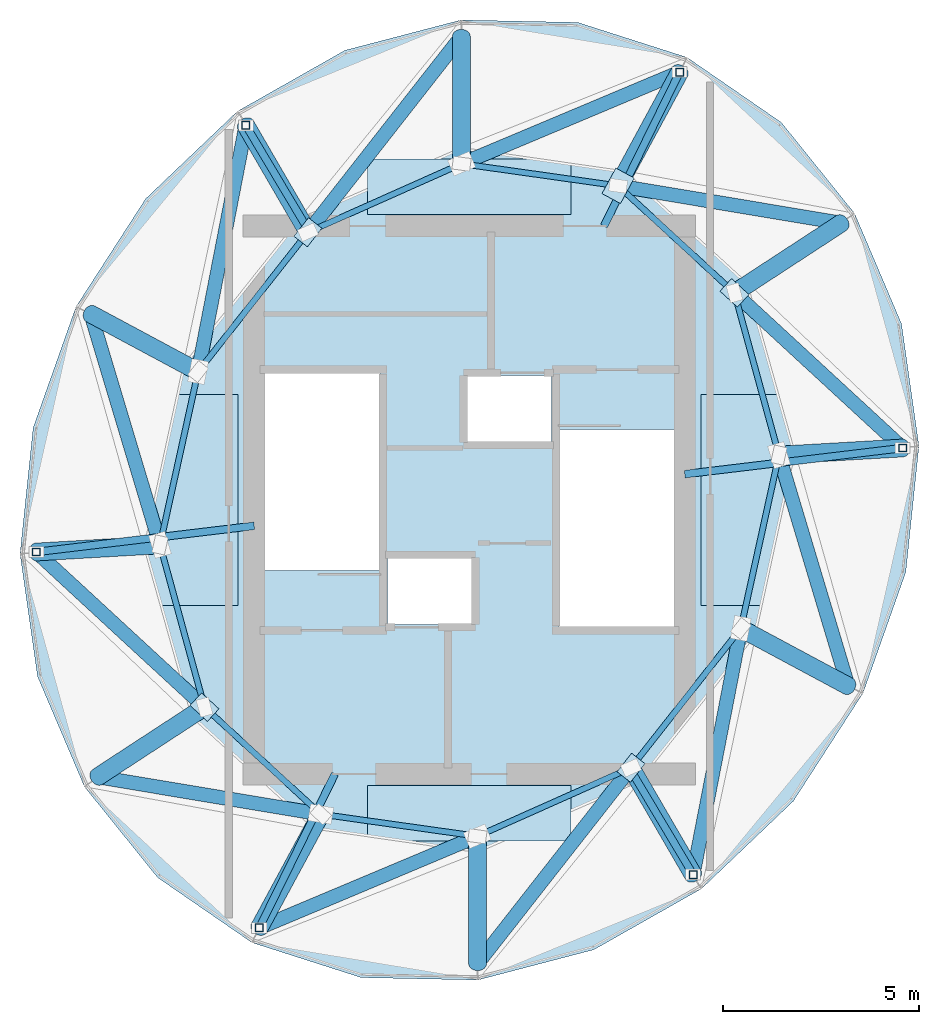
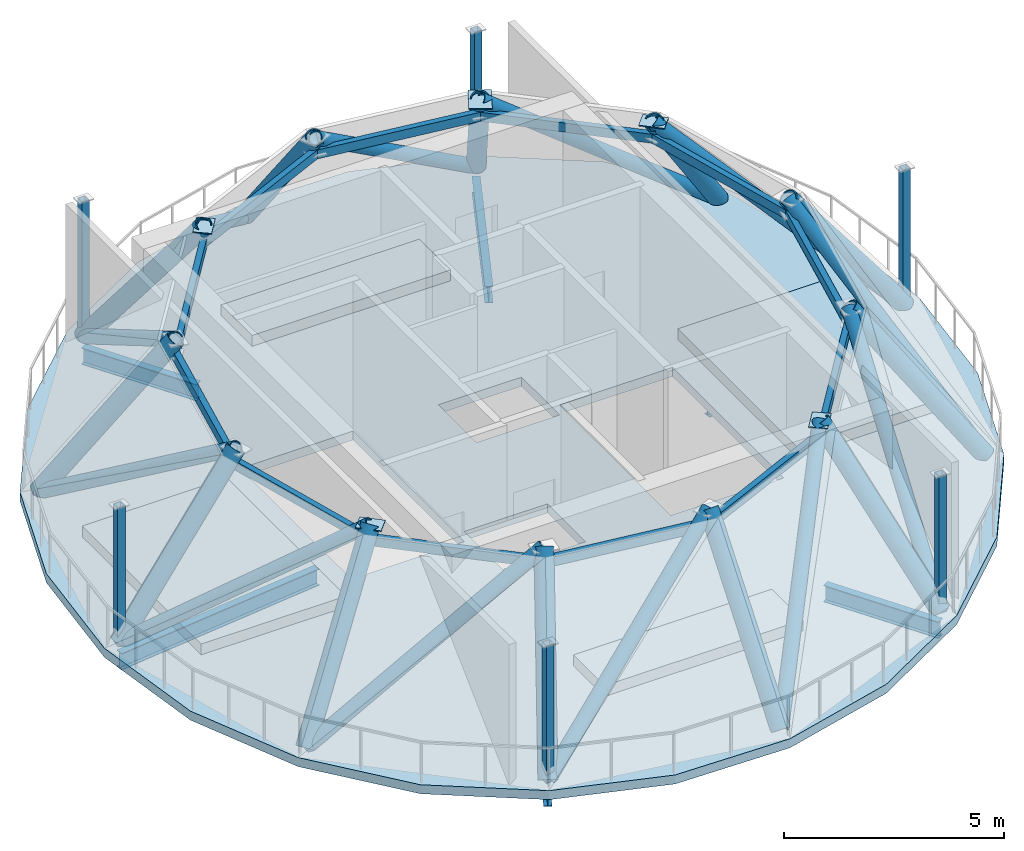
# One storey, part 1 of 4: 42 members, 6 beams, 5 plates, 5 slabs.
"""IFC4 building model written with IfcOpenShell, lengths in metres."""

import ifcopenshell
import ifcopenshell.guid

model = None  # the IFC model being written
_history = None  # IfcOwnerHistory: only IFC2X3 demands one
_inside = {}  # id of a spatial element -> (the spatial element, [elements in it])
_under = {}  # id of a project, library or spatial element -> (it, [spatial elements below it])
_declared = {}  # id of a project -> (the project, [libraries it declares])
_typed = {}  # id of a type object -> (the type object, [elements of that type])
_made_of = {}  # id of a material, layer set ... -> (it, [elements and type objects made of it])


def new_model(schema):
    """Start an empty IFC model of exactly this schema.

    Asked for "IFC4X3", IfcOpenShell would pick the latest addendum, in which some entities
    have other attributes; the version numbers below select the first issue.
    IFC2X3 requires an IfcOwnerHistory on every rooted entity: one is made here for all.
    """
    global model, _history
    if schema == "IFC4X3":
        model = ifcopenshell.file(schema_version=(4, 3, 0, 0))
    else:
        model = ifcopenshell.file(schema=schema)
    _inside.clear()
    _under.clear()
    _declared.clear()
    _typed.clear()
    _made_of.clear()
    _history = None
    if model.schema == "IFC2X3":
        org = make("IfcOrganization", Name="unknown")
        user = make(
            "IfcPersonAndOrganization",
            ThePerson=make("IfcPerson", FamilyName="unknown"),
            TheOrganization=org,
        )
        app = make(
            "IfcApplication",
            ApplicationDeveloper=org,
            Version="unknown",
            ApplicationFullName="unknown",
            ApplicationIdentifier="unknown",
        )
        _history = make(
            "IfcOwnerHistory",
            OwningUser=user,
            OwningApplication=app,
            ChangeAction="ADDED",
            CreationDate=0,
        )
    return model


def make(cls, **values):
    """One entity of the class cls with the attributes given. An attribute that is None is left unset."""
    return model.create_entity(
        cls, **{name: value for name, value in values.items() if value is not None}
    )


def rooted(cls, **values):
    """An entity with a GlobalId (a new one), such as an element, a storey or a relation."""
    return make(cls, GlobalId=ifcopenshell.guid.new(), OwnerHistory=_history, **values)


def si_unit(unit_type, name, prefix=None):
    """IfcSIUnit, for example si_unit("LENGTHUNIT", "METRE", prefix="MILLI")."""
    return make("IfcSIUnit", UnitType=unit_type, Prefix=prefix, Name=name)


def assignment(units):
    """IfcUnitAssignment: the units of a project."""
    return None if units is None else make("IfcUnitAssignment", Units=units)


def point(xyz):
    """IfcCartesianPoint."""
    return None if xyz is None else make("IfcCartesianPoint", Coordinates=xyz)


def direction(xyz):
    """IfcDirection."""
    return None if xyz is None else make("IfcDirection", DirectionRatios=xyz)


def frame(location, z_axis=None, x_axis=None):
    """IfcAxis2Placement3D, a coordinate frame: its origin and axes. An axis left out is left unset."""
    return make(
        "IfcAxis2Placement3D",
        Location=point(location),
        Axis=direction(z_axis),
        RefDirection=direction(x_axis),
    )


def frame_2d(location, x_axis=None):
    """IfcAxis2Placement2D, a coordinate frame in the plane: its origin and x axis."""
    return make(
        "IfcAxis2Placement2D", Location=point(location), RefDirection=direction(x_axis)
    )


def origin():
    """The frame at (0, 0, 0) with its axes left unset."""
    return frame((0.0, 0.0, 0.0))


def origin_2d():
    """The frame at (0, 0) in the plane with its x axis left unset."""
    return frame_2d((0.0, 0.0))


def place(relative_to, where):
    """IfcLocalPlacement: puts the frame where relative to a parent placement (None: the world)."""
    return make(
        "IfcLocalPlacement", PlacementRelTo=relative_to, RelativePlacement=where
    )


def context(
    kind, dimensions, precision=None, world=None, true_north=None, identifier=None
):
    """IfcGeometricRepresentationContext, for example the 3D "Model" context."""
    return make(
        "IfcGeometricRepresentationContext",
        ContextIdentifier=identifier,
        ContextType=kind,
        CoordinateSpaceDimension=dimensions,
        Precision=precision,
        WorldCoordinateSystem=world,
        TrueNorth=true_north,
    )


def subcontext(parent, identifier, kind, view, scale=None):
    """IfcGeometricRepresentationSubContext, for example "Body" below "Model"."""
    return make(
        "IfcGeometricRepresentationSubContext",
        ContextIdentifier=identifier,
        ContextType=kind,
        ParentContext=parent,
        TargetScale=scale,
        TargetView=view,
    )


def project(units=None, contexts=None):
    """IfcProject with its units and contexts."""
    return rooted(
        "IfcProject",
        Name="project",
        RepresentationContexts=contexts,
        UnitsInContext=assignment(units),
    )


def spatial(cls, under=None, at=None, **own):
    """A site, building, storey or space (cls), placed at a placement, below another one or the project."""
    s = rooted(cls, ObjectPlacement=at, **own)
    if under is not None:
        _under.setdefault(under.id(), (under, []))[1].append(s)
    return s


def polyline(points):
    """IfcPolyline through the points."""
    return make("IfcPolyline", Points=[point(p) for p in points])


def profile(cls, at=None, kind="AREA", **sizes):
    """A parametric profile (cls). Its sizes go by their IFC names, for example OverallWidth=200.0."""
    return make(cls, ProfileType=kind, Position=at, **sizes)


def rectangle(**sizes):
    """IfcRectangleProfileDef."""
    return profile("IfcRectangleProfileDef", **sizes)


def hollow_rectangle(**sizes):
    """IfcRectangleHollowProfileDef."""
    return profile("IfcRectangleHollowProfileDef", **sizes)


def hollow_circle(**sizes):
    """IfcCircleHollowProfileDef."""
    return profile("IfcCircleHollowProfileDef", **sizes)


def i_section(**sizes):
    """IfcIShapeProfileDef."""
    return profile("IfcIShapeProfileDef", **sizes)


def outline(outer, holes=None, kind="AREA"):
    """IfcArbitraryClosedProfileDef: a profile drawn as a closed curve; with holes, ...WithVoids."""
    if holes is None:
        return make("IfcArbitraryClosedProfileDef", ProfileType=kind, OuterCurve=outer)
    return make(
        "IfcArbitraryProfileDefWithVoids",
        ProfileType=kind,
        OuterCurve=outer,
        InnerCurves=holes,
    )


def extrude(swept, where, along, depth):
    """IfcExtrudedAreaSolid: the profile swept, set in the frame where, extruded along a direction by depth."""
    return make(
        "IfcExtrudedAreaSolid",
        SweptArea=swept,
        Position=where,
        ExtrudedDirection=direction(along),
        Depth=depth,
    )


def shape(context_of_items, identifier, shape_type, items):
    """IfcShapeRepresentation: the items that make up one representation, for example the "Body"."""
    return make(
        "IfcShapeRepresentation",
        ContextOfItems=context_of_items,
        RepresentationIdentifier=identifier,
        RepresentationType=shape_type,
        Items=items,
    )


def material(Name=None, Category=None):
    """IfcMaterial."""
    return make("IfcMaterial", Name=Name, Category=Category)


def layer(
    of_material, thickness, ventilated=None, Name=None, Category=None, Priority=None
):
    """IfcMaterialLayer: one layer of a wall or slab, of a material (None: an air gap)."""
    return make(
        "IfcMaterialLayer",
        Material=of_material,
        LayerThickness=thickness,
        IsVentilated=ventilated,
        Name=Name,
        Category=Category,
        Priority=Priority,
    )


def layer_set(layers, Name=None):
    """IfcMaterialLayerSet."""
    return make("IfcMaterialLayerSet", MaterialLayers=layers, LayerSetName=Name)


def material_profile(
    of_material, cross_section, Name=None, Category=None, Priority=None
):
    """IfcMaterialProfile: a cross section and its material."""
    return make(
        "IfcMaterialProfile",
        Name=Name,
        Material=of_material,
        Profile=cross_section,
        Priority=Priority,
        Category=Category,
    )


def profile_set(profiles, Name=None, composite=None):
    """IfcMaterialProfileSet."""
    return make(
        "IfcMaterialProfileSet",
        Name=Name,
        MaterialProfiles=profiles,
        CompositeProfile=composite,
    )


def made_of(thing, what):
    """Note that an element or type object is made of a material, layer set ...; save() writes the relation."""
    if what is not None:
        _made_of.setdefault(what.id(), (what, []))[1].append(thing)
    return thing


def type_object(cls, material=None, **own):
    """A type object (cls), such as IfcWallType, which elements share."""
    return made_of(rooted(cls, **own), material)


def element(
    cls,
    number,
    at=None,
    inside=None,
    cuts=None,
    type_object=None,
    material=None,
    context=None,
    identifier="Body",
    shape_type=None,
    held_by="IfcProductDefinitionShape",
    body=None,
    shapes=None,
    **own,
):
    """One element of the class cls, such as IfcWall. Its Tag is "e" and its number.

    at: its placement. inside: the storey or other place that contains it. cuts: it is an
    opening in that element (IfcRelVoidsElement). A single representation is given by context,
    identifier, shape_type and body (its items); several are given by shapes. held_by: the class
    of the entity that holds the representations. save() writes the other relations.
    """
    e = rooted(cls, Tag="e%d" % number, ObjectPlacement=at, **own)
    if body is not None:
        shapes = [shape(context, identifier, shape_type, body)]
    if shapes is not None:
        e.Representation = make(held_by, Representations=shapes)
    if inside is not None:
        _inside.setdefault(inside.id(), (inside, []))[1].append(e)
    if cuts is not None:
        rooted(
            "IfcRelVoidsElement", RelatingBuildingElement=cuts, RelatedOpeningElement=e
        )
    if type_object is not None:
        _typed.setdefault(type_object.id(), (type_object, []))[1].append(e)
    return made_of(e, material)


def aggregate(whole, parts):
    """IfcRelAggregates: a whole, such as a stair, and the parts it consists of."""
    return rooted("IfcRelAggregates", RelatingObject=whole, RelatedObjects=parts)


def save(model, path):
    """Write the relations noted so far, then the file.

    IfcRelAggregates (storeys below a building ...), IfcRelContainedInSpatialStructure (elements
    in a storey), IfcRelDefinesByType, IfcRelAssociatesMaterial and IfcRelDeclares: one each for
    every whole, place, type object, material and project.
    """
    for whole, parts in _under.values():
        aggregate(whole, parts)
    for where, things in _inside.values():
        rooted(
            "IfcRelContainedInSpatialStructure",
            RelatedElements=things,
            RelatingStructure=where,
        )
    for kind, things in _typed.values():
        rooted("IfcRelDefinesByType", RelatedObjects=things, RelatingType=kind)
    for what, things in _made_of.values():
        rooted("IfcRelAssociatesMaterial", RelatedObjects=things, RelatingMaterial=what)
    for by, libraries in _declared.values():
        rooted("IfcRelDeclares", RelatingContext=by, RelatedDefinitions=libraries)
    model.write(path)


model = new_model("IFC4")

# Units and contexts
model_context = context("Model", 3, precision=1e-05, world=origin(), true_north=direction((0.0, 1.0)))
body_context = subcontext(model_context, "Body", "Model", "MODEL_VIEW")
ifc_project = project(units=[si_unit("LENGTHUNIT", "METRE"), si_unit("AREAUNIT", "SQUARE_METRE"), si_unit("VOLUMEUNIT", "CUBIC_METRE"), si_unit("PLANEANGLEUNIT", "RADIAN"), si_unit("MASSUNIT", "GRAM", prefix="KILO")], contexts=[model_context])

# Site, building, storey
site_placement = place(None, origin())
site = spatial("IfcSite", under=ifc_project, at=site_placement, CompositionType="ELEMENT")
building_placement = place(site_placement, origin())
building = spatial("IfcBuilding", under=site, at=building_placement, Name="Veldorim Arch Residences", CompositionType="ELEMENT")
storey_placement = place(building_placement, frame((0.0, 0.0, 255.199951171875)))
storey = spatial("IfcBuildingStorey", under=building, at=storey_placement, Name="L76", CompositionType="ELEMENT", Elevation=255.199951171875)

# Members
ifc_material_1 = material(Name="Steel S460", Category="steel")
ifc_material_profile_1 = material_profile(ifc_material_1, hollow_circle(Radius=0.177734375, WallThickness=0.02490234375, at=origin_2d()), Name="CHS355.6x25")
ifc_profile_set_1 = profile_set([ifc_material_profile_1], Name="Steel S460")
member_type_1 = type_object("IfcMemberType", Name="Crown Diagrid CHS355.6x25", PredefinedType="STRUT", material=ifc_profile_set_1)
member_1_placement = place(storey_placement, frame((37.369873046875, 34.932373046875, 0.0), z_axis=(-0.759371510852, -0.319194238174, 0.566983198007), x_axis=(0.3874989225, -0.921870156292, 0.0)))
element("IfcMember", 1, at=member_1_placement, inside=storey, type_object=member_type_1, Name="L76 Crown Diagrid diagrid brace 01", PredefinedType="STRUT", context=body_context, shape_type="SweptSolid", body=[
    extrude(hollow_circle(Radius=0.177734375, WallThickness=0.02490234375, at=origin_2d()), origin(), (0.0, 0.0, 1.0), 7.33740234375),
])
member_2_placement = place(storey_placement, frame((31.7919921875, 35.84326171875, 0.0), z_axis=(-0.515980294061, -0.658651063049, 0.547670624816), x_axis=(0.787206607919, -0.616689351658, 0.0)))
element("IfcMember", 2, at=member_2_placement, inside=storey, type_object=member_type_1, Name="L76 Crown Diagrid diagrid brace 02", PredefinedType="STRUT", context=body_context, shape_type="SweptSolid", body=[
    extrude(hollow_circle(Radius=0.177734375, WallThickness=0.02490234375, at=origin_2d()), origin(), (0.0, 0.0, 1.0), 7.59619140625),
])
member_3_placement = place(storey_placement, frame((26.286865234375, 33.5703125, 0.0), z_axis=(-0.159695408556, -0.823372524721, 0.544568693574), x_axis=(0.981705708687, -0.190404573293, 0.0)))
element("IfcMember", 3, at=member_3_placement, inside=storey, type_object=member_type_1, Name="L76 Crown Diagrid diagrid brace 03", PredefinedType="STRUT", context=body_context, shape_type="SweptSolid", body=[
    extrude(hollow_circle(Radius=0.177734375, WallThickness=0.02490234375, at=origin_2d()), origin(), (0.0, 0.0, 1.0), 7.639404296875),
])
member_4_placement = place(storey_placement, frame((22.32421875, 28.752685546875, 0.0), z_axis=(0.238119202565, -0.793719725696, 0.559739441537), x_axis=(0.957825194201, 0.287351522276, 0.0)))
element("IfcMember", 4, at=member_4_placement, inside=storey, type_object=member_type_1, Name="L76 Crown Diagrid diagrid brace 04", PredefinedType="STRUT", context=body_context, shape_type="SweptSolid", body=[
    extrude(hollow_circle(Radius=0.177734375, WallThickness=0.02490234375, at=origin_2d()), origin(), (0.0, 0.0, 1.0), 7.432373046875),
])
member_5_placement = place(storey_placement, frame((20.93359375, 22.671630859375, 0.0), z_axis=(0.598836847298, -0.552421717186, 0.579848839525), x_axis=(0.678047614022, 0.735017981493, 0.0)))
element("IfcMember", 5, at=member_5_placement, inside=storey, type_object=member_type_1, Name="L76 Crown Diagrid diagrid brace 05", PredefinedType="STRUT", context=body_context, shape_type="SweptSolid", body=[
    extrude(hollow_circle(Radius=0.177734375, WallThickness=0.02490234375, at=origin_2d()), origin(), (0.0, 0.0, 1.0), 7.174560546875),
])
member_6_placement = place(storey_placement, frame((22.499755859375, 16.925537109375, 0.0), z_axis=(0.800607040403, -0.133714435271, 0.58407946091), x_axis=(0.164734525508, 0.98633794214, 0.0)))
element("IfcMember", 6, at=member_6_placement, inside=storey, type_object=member_type_1, Name="L76 Crown Diagrid diagrid brace 06", PredefinedType="STRUT", context=body_context, shape_type="SweptSolid", body=[
    extrude(hollow_circle(Radius=0.177734375, WallThickness=0.02490234375, at=origin_2d()), origin(), (0.0, 0.0, 1.0), 7.12255859375),
])
member_7_placement = place(storey_placement, frame((26.630126953125, 13.067626953125, 0.0), z_axis=(0.759371510852, 0.319194238174, 0.566983198007), x_axis=(-0.3874989225, 0.921870156292, 0.0)))
element("IfcMember", 7, at=member_7_placement, inside=storey, type_object=member_type_1, Name="L76 Crown Diagrid diagrid brace 07", PredefinedType="STRUT", context=body_context, shape_type="SweptSolid", body=[
    extrude(hollow_circle(Radius=0.177734375, WallThickness=0.02490234375, at=origin_2d()), origin(), (0.0, 0.0, 1.0), 7.33740234375),
])
member_8_placement = place(storey_placement, frame((32.2080078125, 12.15673828125, 0.0), z_axis=(0.515980294061, 0.658651063049, 0.547670624816), x_axis=(-0.787206607919, 0.616689351658, 0.0)))
element("IfcMember", 8, at=member_8_placement, inside=storey, type_object=member_type_1, Name="L76 Crown Diagrid diagrid brace 08", PredefinedType="STRUT", context=body_context, shape_type="SweptSolid", body=[
    extrude(hollow_circle(Radius=0.177734375, WallThickness=0.02490234375, at=origin_2d()), origin(), (0.0, 0.0, 1.0), 7.59619140625),
])
member_9_placement = place(storey_placement, frame((37.713134765625, 14.4296875, 0.0), z_axis=(0.159695408556, 0.823372524721, 0.544568693574), x_axis=(-0.981705708687, 0.190404573293, 0.0)))
element("IfcMember", 9, at=member_9_placement, inside=storey, type_object=member_type_1, Name="L76 Crown Diagrid diagrid brace 09", PredefinedType="STRUT", context=body_context, shape_type="SweptSolid", body=[
    extrude(hollow_circle(Radius=0.177734375, WallThickness=0.02490234375, at=origin_2d()), origin(), (0.0, 0.0, 1.0), 7.639404296875),
])
member_10_placement = place(storey_placement, frame((41.67578125, 19.247314453125, 0.0), z_axis=(-0.238119202565, 0.793719725696, 0.559739441537), x_axis=(-0.957825194201, -0.287351522276, 0.0)))
element("IfcMember", 10, at=member_10_placement, inside=storey, type_object=member_type_1, Name="L76 Crown Diagrid diagrid brace 10", PredefinedType="STRUT", context=body_context, shape_type="SweptSolid", body=[
    extrude(hollow_circle(Radius=0.177734375, WallThickness=0.02490234375, at=origin_2d()), origin(), (0.0, 0.0, 1.0), 7.432373046875),
])
member_11_placement = place(storey_placement, frame((43.06640625, 25.328369140625, 0.0), z_axis=(-0.598836847298, 0.552421717186, 0.579848839525), x_axis=(-0.678047614022, -0.735017981493, 0.0)))
element("IfcMember", 11, at=member_11_placement, inside=storey, type_object=member_type_1, Name="L76 Crown Diagrid diagrid brace 11", PredefinedType="STRUT", context=body_context, shape_type="SweptSolid", body=[
    extrude(hollow_circle(Radius=0.177734375, WallThickness=0.02490234375, at=origin_2d()), origin(), (0.0, 0.0, 1.0), 7.174560546875),
])
member_12_placement = place(storey_placement, frame((41.500244140625, 31.074462890625, 0.0), z_axis=(-0.800607040403, 0.133714435271, 0.58407946091), x_axis=(-0.164734525508, -0.98633794214, 0.0)))
element("IfcMember", 12, at=member_12_placement, inside=storey, type_object=member_type_1, Name="L76 Crown Diagrid diagrid brace 12", PredefinedType="STRUT", context=body_context, shape_type="SweptSolid", body=[
    extrude(hollow_circle(Radius=0.177734375, WallThickness=0.02490234375, at=origin_2d()), origin(), (0.0, 0.0, 1.0), 7.12255859375),
])
ifc_material_2 = material(Name="Steel S460", Category="steel")
ifc_material_profile_2 = material_profile(ifc_material_2, hollow_circle(Radius=0.228515625, WallThickness=0.030029296875, at=origin_2d()), Name="CHS457x30")
ifc_profile_set_2 = profile_set([ifc_material_profile_2], Name="Steel S460")
member_type_2 = type_object("IfcMemberType", Name="Crown Diagrid CHS457x30", PredefinedType="BRACE", material=ifc_profile_set_2)
member_13_placement = place(storey_placement, frame((37.369873046875, 34.932373046875, 0.0), z_axis=(-0.295922888055, -0.546944912369, 0.78312253649), x_axis=(0.879520121807, -0.475861697699, 0.0)))
element("IfcMember", 13, at=member_13_placement, inside=storey, type_object=member_type_2, Name="L76 Crown Diagrid tapering rib 01", PredefinedType="BRACE", context=body_context, shape_type="SweptSolid", body=[
    extrude(hollow_circle(Radius=0.228515625, WallThickness=0.030029296875, at=origin_2d()), origin(), (0.0, 0.0, 1.0), 5.312255859375),
])
member_14_placement = place(storey_placement, frame((31.7919921875, 35.84326171875, 0.0), z_axis=(0.00115575976, -0.615973721743, 0.787765852485), x_axis=(0.999998239729, 0.001876310117, 0.0)))
element("IfcMember", 14, at=member_14_placement, inside=storey, type_object=member_type_2, Name="L76 Crown Diagrid tapering rib 02", PredefinedType="BRACE", context=body_context, shape_type="SweptSolid", body=[
    extrude(hollow_circle(Radius=0.228515625, WallThickness=0.030029296875, at=origin_2d()), origin(), (0.0, 0.0, 1.0), 5.281005859375),
])
member_15_placement = place(storey_placement, frame((26.286865234375, 33.5703125, 0.0), z_axis=(0.303622006663, -0.522772117092, 0.796569514017), x_axis=(0.864733700112, 0.502230652082, 0.0)))
element("IfcMember", 15, at=member_15_placement, inside=storey, type_object=member_type_2, Name="L76 Crown Diagrid tapering rib 03", PredefinedType="BRACE", context=body_context, shape_type="SweptSolid", body=[
    extrude(hollow_circle(Radius=0.228515625, WallThickness=0.030029296875, at=origin_2d()), origin(), (0.0, 0.0, 1.0), 5.22265625),
])
member_16_placement = place(storey_placement, frame((22.32421875, 28.752685546875, 0.0), z_axis=(0.527855885157, -0.283380705304, 0.800664436806), x_axis=(0.473000379796, 0.881062222952, 0.0)))
element("IfcMember", 16, at=member_16_placement, inside=storey, type_object=member_type_2, Name="L76 Crown Diagrid tapering rib 04", PredefinedType="BRACE", context=body_context, shape_type="SweptSolid", body=[
    extrude(hollow_circle(Radius=0.228515625, WallThickness=0.030029296875, at=origin_2d()), origin(), (0.0, 0.0, 1.0), 5.19580078125),
])
member_17_placement = place(storey_placement, frame((20.93359375, 22.671630859375, 0.0), z_axis=(0.604557045255, 0.03479297016, 0.795801626199), x_axis=(-0.057456105442, 0.998348033477, 0.0)))
element("IfcMember", 17, at=member_17_placement, inside=storey, type_object=member_type_2, Name="L76 Crown Diagrid tapering rib 05", PredefinedType="BRACE", context=body_context, shape_type="SweptSolid", body=[
    extrude(hollow_circle(Radius=0.228515625, WallThickness=0.030029296875, at=origin_2d()), origin(), (0.0, 0.0, 1.0), 5.2275390625),
])
member_18_placement = place(storey_placement, frame((22.499755859375, 16.925537109375, 0.0), z_axis=(0.516525993034, 0.33726842539, 0.787052036243), x_axis=(-0.54672677077, 0.837311076078, 0.0)))
element("IfcMember", 18, at=member_18_placement, inside=storey, type_object=member_type_2, Name="L76 Crown Diagrid tapering rib 06", PredefinedType="BRACE", context=body_context, shape_type="SweptSolid", body=[
    extrude(hollow_circle(Radius=0.228515625, WallThickness=0.030029296875, at=origin_2d()), origin(), (0.0, 0.0, 1.0), 5.28564453125),
])
member_19_placement = place(storey_placement, frame((26.630126953125, 13.067626953125, 0.0), z_axis=(0.295922888055, 0.546944912369, 0.78312253649), x_axis=(-0.879520121807, 0.475861697699, 0.0)))
element("IfcMember", 19, at=member_19_placement, inside=storey, type_object=member_type_2, Name="L76 Crown Diagrid tapering rib 07", PredefinedType="BRACE", context=body_context, shape_type="SweptSolid", body=[
    extrude(hollow_circle(Radius=0.228515625, WallThickness=0.030029296875, at=origin_2d()), origin(), (0.0, 0.0, 1.0), 5.312255859375),
])
member_20_placement = place(storey_placement, frame((32.2080078125, 12.15673828125, 0.0), z_axis=(-0.00115575976, 0.615973721743, 0.787765852485), x_axis=(-0.999998239729, -0.001876310117, 0.0)))
element("IfcMember", 20, at=member_20_placement, inside=storey, type_object=member_type_2, Name="L76 Crown Diagrid tapering rib 08", PredefinedType="BRACE", context=body_context, shape_type="SweptSolid", body=[
    extrude(hollow_circle(Radius=0.228515625, WallThickness=0.030029296875, at=origin_2d()), origin(), (0.0, 0.0, 1.0), 5.281005859375),
])
member_21_placement = place(storey_placement, frame((37.713134765625, 14.4296875, 0.0), z_axis=(-0.303622006663, 0.522772117092, 0.796569514017), x_axis=(-0.864733700112, -0.502230652082, 0.0)))
element("IfcMember", 21, at=member_21_placement, inside=storey, type_object=member_type_2, Name="L76 Crown Diagrid tapering rib 09", PredefinedType="BRACE", context=body_context, shape_type="SweptSolid", body=[
    extrude(hollow_circle(Radius=0.228515625, WallThickness=0.030029296875, at=origin_2d()), origin(), (0.0, 0.0, 1.0), 5.22265625),
])
member_22_placement = place(storey_placement, frame((41.67578125, 19.247314453125, 0.0), z_axis=(-0.527855885157, 0.283380705304, 0.800664436806), x_axis=(-0.473000379796, -0.881062222952, 0.0)))
element("IfcMember", 22, at=member_22_placement, inside=storey, type_object=member_type_2, Name="L76 Crown Diagrid tapering rib 10", PredefinedType="BRACE", context=body_context, shape_type="SweptSolid", body=[
    extrude(hollow_circle(Radius=0.228515625, WallThickness=0.030029296875, at=origin_2d()), origin(), (0.0, 0.0, 1.0), 5.19580078125),
])
member_23_placement = place(storey_placement, frame((43.06640625, 25.328369140625, 0.0), z_axis=(-0.604557045255, -0.03479297016, 0.795801626199), x_axis=(0.057456105442, -0.998348033477, 0.0)))
element("IfcMember", 23, at=member_23_placement, inside=storey, type_object=member_type_2, Name="L76 Crown Diagrid tapering rib 11", PredefinedType="BRACE", context=body_context, shape_type="SweptSolid", body=[
    extrude(hollow_circle(Radius=0.228515625, WallThickness=0.030029296875, at=origin_2d()), origin(), (0.0, 0.0, 1.0), 5.2275390625),
])
member_24_placement = place(storey_placement, frame((41.500244140625, 31.074462890625, 0.0), z_axis=(-0.516525993034, -0.33726842539, 0.787052036243), x_axis=(0.54672677077, -0.837311076078, 0.0)))
element("IfcMember", 24, at=member_24_placement, inside=storey, type_object=member_type_2, Name="L76 Crown Diagrid tapering rib 12", PredefinedType="BRACE", context=body_context, shape_type="SweptSolid", body=[
    extrude(hollow_circle(Radius=0.228515625, WallThickness=0.030029296875, at=origin_2d()), origin(), (0.0, 0.0, 1.0), 5.28564453125),
])

# Beams
ifc_material_3 = material(Name="Steel S355", Category="steel")
ifc_material_profile_3 = material_profile(ifc_material_3, i_section(OverallWidth=0.19140625, OverallDepth=0.4599609375, WebThickness=0.010009765625, FlangeThickness=0.01611328125, at=origin_2d()), Name="UB457x191x82")
ifc_profile_set_3 = profile_set([ifc_material_profile_3], Name="Steel S355")
beam_type = type_object("IfcBeamType", Name="Structural Steel Spandrel UB457x191x82", PredefinedType="SPANDREL", material=ifc_profile_set_3)
beam_1_placement = place(storey_placement, frame((35.4384765625, 31.0, -0.5), z_axis=(0.440849534454, 0.897581020283, 0.0), x_axis=(-0.897581020283, 0.440849534454, 0.0)))
element("IfcBeam", 25, at=beam_1_placement, inside=storey, type_object=beam_type, Name="L76 crown radial floor beam 01", PredefinedType="SPANDREL", context=body_context, shape_type="SweptSolid", body=[
    extrude(i_section(OverallWidth=0.19140625, OverallDepth=0.4599609375, WebThickness=0.010009765625, FlangeThickness=0.01611328125, at=origin_2d()), origin(), (0.0, 0.0, 1.0), 4.381103515625),
])
beam_2_placement = place(storey_placement, frame((27.8212890625, 31.0, -0.5), z_axis=(-0.512587482096, 0.858635005808, 0.0), x_axis=(-0.858635005808, -0.512587482096, 0.0)))
element("IfcBeam", 26, at=beam_2_placement, inside=storey, type_object=beam_type, Name="L76 crown radial floor beam 05", PredefinedType="SPANDREL", context=body_context, shape_type="SweptSolid", body=[
    extrude(i_section(OverallWidth=0.19140625, OverallDepth=0.4599609375, WebThickness=0.010009765625, FlangeThickness=0.01611328125, at=origin_2d()), origin(), (0.0, 0.0, 1.0), 2.993408203125),
])
beam_3_placement = place(storey_placement, frame((26.5, 23.33984375, -0.5), z_axis=(-0.992871686099, -0.119188149336, 0.0), x_axis=(0.119188149336, -0.992871686099, 0.0)))
element("IfcBeam", 27, at=beam_3_placement, inside=storey, type_object=beam_type, Name="L76 crown radial floor beam 09", PredefinedType="SPANDREL", context=body_context, shape_type="SweptSolid", body=[
    extrude(i_section(OverallWidth=0.19140625, OverallDepth=0.4599609375, WebThickness=0.010009765625, FlangeThickness=0.01611328125, at=origin_2d()), origin(), (0.0, 0.0, 1.0), 5.6064453125),
])
beam_4_placement = place(storey_placement, frame((28.5615234375, 17.0, -0.5), z_axis=(-0.440849534454, -0.897581020283, 0.0), x_axis=(0.897581020283, -0.440849534454, 0.0)))
element("IfcBeam", 28, at=beam_4_placement, inside=storey, type_object=beam_type, Name="L76 crown radial floor beam 13", PredefinedType="SPANDREL", context=body_context, shape_type="SweptSolid", body=[
    extrude(i_section(OverallWidth=0.19140625, OverallDepth=0.4599609375, WebThickness=0.010009765625, FlangeThickness=0.01611328125, at=origin_2d()), origin(), (0.0, 0.0, 1.0), 4.381103515625),
])
beam_5_placement = place(storey_placement, frame((36.1787109375, 17.0, -0.5), z_axis=(0.512587482096, -0.858635005808, 0.0), x_axis=(0.858635005808, 0.512587482096, 0.0)))
element("IfcBeam", 29, at=beam_5_placement, inside=storey, type_object=beam_type, Name="L76 crown radial floor beam 17", PredefinedType="SPANDREL", context=body_context, shape_type="SweptSolid", body=[
    extrude(i_section(OverallWidth=0.19140625, OverallDepth=0.4599609375, WebThickness=0.010009765625, FlangeThickness=0.01611328125, at=origin_2d()), origin(), (0.0, 0.0, 1.0), 2.993408203125),
])
beam_6_placement = place(storey_placement, frame((37.5, 24.66015625, -0.5), z_axis=(0.992871686099, 0.119188149336, 0.0), x_axis=(-0.119188149336, 0.992871686099, 0.0)))
element("IfcBeam", 30, at=beam_6_placement, inside=storey, type_object=beam_type, Name="L76 crown radial floor beam 21", PredefinedType="SPANDREL", context=body_context, shape_type="SweptSolid", body=[
    extrude(i_section(OverallWidth=0.19140625, OverallDepth=0.4599609375, WebThickness=0.010009765625, FlangeThickness=0.01611328125, at=origin_2d()), origin(), (0.0, 0.0, 1.0), 5.6064453125),
])

# Members
ifc_material_4 = material(Name="Steel S460", Category="steel")
ifc_material_profile_4 = material_profile(ifc_material_4, hollow_rectangle(XDim=0.199951171875, YDim=0.199951171875, WallThickness=0.012451171875, at=origin_2d()), Name="SHS200x200x12.5")
ifc_profile_set_4 = profile_set([ifc_material_profile_4], Name="Steel S460")
member_type_3 = type_object("IfcMemberType", Name="Truss Post SHS200x200x12.5", PredefinedType="POST", material=ifc_profile_set_4)
for number, where, z_axis, x_axis, name in (
    (31, (37.369873046875, 34.932373046875, 0.0), (0.0, 0.0, 1.0), (1.0, 0.0, 0.0), "L76 crown interior support post 01"),
    (32, (26.286865234375, 33.5703125, 0.0), (0.0, 0.0, 1.0), (1.0, 0.0, 0.0), "L76 crown interior support post 02"),
    (33, (20.93359375, 22.671630859375, 0.0), (0.0, 0.0, 1.0), (1.0, 0.0, 0.0), "L76 crown interior support post 03"),
    (34, (26.630126953125, 13.067626953125, 0.0), (0.0, 0.0, 1.0), (1.0, 0.0, 0.0), "L76 crown interior support post 04"),
    (35, (37.713134765625, 14.4296875, 0.0), (0.0, 0.0, 1.0), (1.0, 0.0, 0.0), "L76 crown interior support post 05"),
    (36, (43.06640625, 25.328369140625, 0.0), (0.0, 0.0, 1.0), (1.0, 0.0, 0.0), "L76 crown interior support post 06"),
):
    element("IfcMember", number, at=place(storey_placement, frame(where, z_axis=z_axis, x_axis=x_axis)), inside=storey, type_object=member_type_3, Name=name, PredefinedType="POST", context=body_context, shape_type="SweptSolid", body=[
        extrude(hollow_rectangle(XDim=0.199951171875, YDim=0.199951171875, WallThickness=0.012451171875, at=origin_2d()), origin(), (0.0, 0.0, 1.0), 3.81005859375),
    ])
ifc_material_5 = material(Name="Steel S355", Category="steel")
ifc_material_profile_5 = material_profile(ifc_material_5, hollow_rectangle(XDim=0.14990234375, YDim=0.25, WallThickness=0.012451171875, at=origin_2d()), Name="RHS250x150x12.5")
ifc_profile_set_5 = profile_set([ifc_material_profile_5], Name="Steel S355")
member_type_4 = type_object("IfcMemberType", Name="Truss Purlin RHS250x150x12.5", PredefinedType="PURLIN", material=ifc_profile_set_5)
member_25_placement = place(storey_placement, frame((35.7978515625, 32.02685546875, 3.739990234375), z_axis=(-0.990222036989, 0.139500241798, 0.0), x_axis=(-0.139500241798, -0.990222036989, 0.0)))
element("IfcMember", 37, at=member_25_placement, inside=storey, type_object=member_type_4, Name="L76 crown ring purlin 01", PredefinedType="PURLIN", context=body_context, shape_type="SweptSolid", body=[
    extrude(hollow_rectangle(XDim=0.14990234375, YDim=0.25, WallThickness=0.012451171875, at=origin_2d()), origin(), (0.0, 0.0, 1.0), 4.039306640625),
])
member_26_placement = place(storey_placement, frame((31.798095703125, 32.59033203125, 3.739990234375), z_axis=(-0.913330722084, -0.407218604803, 0.0), x_axis=(0.407218604803, -0.913330722084, 0.0)))
element("IfcMember", 38, at=member_26_placement, inside=storey, type_object=member_type_4, Name="L76 crown ring purlin 02", PredefinedType="PURLIN", context=body_context, shape_type="SweptSolid", body=[
    extrude(hollow_rectangle(XDim=0.14990234375, YDim=0.25, WallThickness=0.012451171875, at=origin_2d()), origin(), (0.0, 0.0, 1.0), 4.298095703125),
])
for number, where, z_axis, x_axis, name in (
    (39, (27.87255859375, 30.840087890625, 3.739990234375), (-0.619003139159, -0.785388511319, 0.0), (0.785388511319, -0.619003139159, 0.0), "L76 crown ring purlin 03"),
    (40, (25.06689453125, 27.2802734375, 3.739990234375), (-0.214654207417, -0.976690110136, 0.0), (0.976690110136, -0.214654207417, 0.0), "L76 crown ring purlin 04"),
):
    element("IfcMember", number, at=place(storey_placement, frame(where, z_axis=z_axis, x_axis=x_axis)), inside=storey, type_object=member_type_4, Name=name, PredefinedType="PURLIN", context=body_context, shape_type="SweptSolid", body=[
        extrude(hollow_rectangle(XDim=0.14990234375, YDim=0.25, WallThickness=0.012451171875, at=origin_2d()), origin(), (0.0, 0.0, 1.0), 4.532470703125),
    ])
member_27_placement = place(storey_placement, frame((24.093994140625, 22.853515625, 3.739990234375), z_axis=(0.264299563036, -0.964440636317, 0.0), x_axis=(0.964440636317, 0.264299563036, 0.0)))
element("IfcMember", 41, at=member_27_placement, inside=storey, type_object=member_type_4, Name="L76 crown ring purlin 05", PredefinedType="PURLIN", context=body_context, shape_type="SweptSolid", body=[
    extrude(hollow_rectangle(XDim=0.14990234375, YDim=0.25, WallThickness=0.012451171875, at=origin_2d()), origin(), (0.0, 0.0, 1.0), 4.298095703125),
])
member_28_placement = place(storey_placement, frame((25.22998046875, 18.708251953125, 3.739990234375), z_axis=(0.735843063462, -0.677152114339, 0.0), x_axis=(0.677152114339, 0.735843063462, 0.0)))
element("IfcMember", 42, at=member_28_placement, inside=storey, type_object=member_type_4, Name="L76 crown ring purlin 06", PredefinedType="PURLIN", context=body_context, shape_type="SweptSolid", body=[
    extrude(hollow_rectangle(XDim=0.14990234375, YDim=0.25, WallThickness=0.012451171875, at=origin_2d()), origin(), (0.0, 0.0, 1.0), 4.0390625),
])
member_29_placement = place(storey_placement, frame((28.2021484375, 15.97314453125, 3.739990234375), z_axis=(0.990222036989, -0.139500241798, 0.0), x_axis=(0.139500241798, 0.990222036989, 0.0)))
element("IfcMember", 43, at=member_29_placement, inside=storey, type_object=member_type_4, Name="L76 crown ring purlin 07", PredefinedType="PURLIN", context=body_context, shape_type="SweptSolid", body=[
    extrude(hollow_rectangle(XDim=0.14990234375, YDim=0.25, WallThickness=0.012451171875, at=origin_2d()), origin(), (0.0, 0.0, 1.0), 4.039306640625),
])
member_30_placement = place(storey_placement, frame((32.201904296875, 15.40966796875, 3.739990234375), z_axis=(0.913330722084, 0.407218604803, 0.0), x_axis=(-0.407218604803, 0.913330722084, 0.0)))
element("IfcMember", 44, at=member_30_placement, inside=storey, type_object=member_type_4, Name="L76 crown ring purlin 08", PredefinedType="PURLIN", context=body_context, shape_type="SweptSolid", body=[
    extrude(hollow_rectangle(XDim=0.14990234375, YDim=0.25, WallThickness=0.012451171875, at=origin_2d()), origin(), (0.0, 0.0, 1.0), 4.298095703125),
])
for number, where, z_axis, x_axis, name in (
    (45, (36.12744140625, 17.159912109375, 3.739990234375), (0.619003139159, 0.785388511319, 0.0), (-0.785388511319, 0.619003139159, 0.0), "L76 crown ring purlin 09"),
    (46, (38.93310546875, 20.7197265625, 3.739990234375), (0.214654207417, 0.976690110136, 0.0), (-0.976690110136, 0.214654207417, 0.0), "L76 crown ring purlin 10"),
):
    element("IfcMember", number, at=place(storey_placement, frame(where, z_axis=z_axis, x_axis=x_axis)), inside=storey, type_object=member_type_4, Name=name, PredefinedType="PURLIN", context=body_context, shape_type="SweptSolid", body=[
        extrude(hollow_rectangle(XDim=0.14990234375, YDim=0.25, WallThickness=0.012451171875, at=origin_2d()), origin(), (0.0, 0.0, 1.0), 4.532470703125),
    ])
member_31_placement = place(storey_placement, frame((39.906005859375, 25.146484375, 3.739990234375), z_axis=(-0.264299563036, 0.964440636317, 0.0), x_axis=(-0.964440636317, -0.264299563036, 0.0)))
element("IfcMember", 47, at=member_31_placement, inside=storey, type_object=member_type_4, Name="L76 crown ring purlin 11", PredefinedType="PURLIN", context=body_context, shape_type="SweptSolid", body=[
    extrude(hollow_rectangle(XDim=0.14990234375, YDim=0.25, WallThickness=0.012451171875, at=origin_2d()), origin(), (0.0, 0.0, 1.0), 4.298095703125),
])
member_32_placement = place(storey_placement, frame((38.77001953125, 29.291748046875, 3.739990234375), z_axis=(-0.735843063462, 0.677152114339, 0.0), x_axis=(-0.677152114339, -0.735843063462, 0.0)))
element("IfcMember", 48, at=member_32_placement, inside=storey, type_object=member_type_4, Name="L76 crown ring purlin 12", PredefinedType="PURLIN", context=body_context, shape_type="SweptSolid", body=[
    extrude(hollow_rectangle(XDim=0.14990234375, YDim=0.25, WallThickness=0.012451171875, at=origin_2d()), origin(), (0.0, 0.0, 1.0), 4.0390625),
])

# Slabs
ifc_material_6 = material(Name="Precast concrete C40/50", Category="concrete")
ifc_layer_1 = layer(ifc_material_6, 0.300048828125, Name="Crown Mechanical Equipment Plinth 300")
ifc_layer_set_1 = layer_set([ifc_layer_1], Name="Precast concrete C40/50")
slab_type_1 = type_object("IfcSlabType", Name="Crown Mechanical Equipment Plinth 300", PredefinedType="USERDEFINED", material=ifc_layer_set_1)
slab_1_placement = place(storey_placement, origin())
element("IfcSlab", 49, at=slab_1_placement, inside=storey, type_object=slab_type_1, Name="L76 Chiller plinth", ObjectType="PLINTH", PredefinedType="USERDEFINED", context=body_context, shape_type="SweptSolid", body=[
    extrude(outline(polyline([(22.2880859375, 26.699951171875), (26.087890625, 26.699951171875), (26.087890625, 21.300048828125), (22.2880859375, 21.300048828125), (22.2880859375, 26.699951171875)])), origin(), (0.0, 0.0, 1.0), 0.300048828125),
])
slab_2_placement = place(storey_placement, origin())
element("IfcSlab", 50, at=slab_2_placement, inside=storey, type_object=slab_type_1, Name="L76 Cooling tower plinth", ObjectType="PLINTH", PredefinedType="USERDEFINED", context=body_context, shape_type="SweptSolid", body=[
    extrude(outline(polyline([(37.912109375, 26.699951171875), (41.7119140625, 26.699951171875), (41.7119140625, 21.300048828125), (37.912109375, 21.300048828125), (37.912109375, 26.699951171875)])), origin(), (0.0, 0.0, 1.0), 0.300048828125),
])
slab_3_placement = place(storey_placement, origin())
element("IfcSlab", 51, at=slab_3_placement, inside=storey, type_object=slab_type_1, Name="L76 Break water tank plinth", ObjectType="PLINTH", PredefinedType="USERDEFINED", context=body_context, shape_type="SweptSolid", body=[
    extrude(outline(polyline([(34.60009765625, 15.2919921875), (29.39990234375, 15.2919921875), (29.39990234375, 16.699951171875), (34.60009765625, 16.699951171875), (34.60009765625, 15.2919921875)])), origin(), (0.0, 0.0, 1.0), 0.300048828125),
])
slab_4_placement = place(storey_placement, origin())
element("IfcSlab", 52, at=slab_4_placement, inside=storey, type_object=slab_type_1, Name="L76 Tuned mass damper & AHU plinth", ObjectType="PLINTH", PredefinedType="USERDEFINED", context=body_context, shape_type="SweptSolid", body=[
    extrude(outline(polyline([(29.39990234375, 32.7080078125), (34.60009765625, 32.7080078125), (34.60009765625, 31.300048828125), (29.39990234375, 31.300048828125), (29.39990234375, 32.7080078125)])), origin(), (0.0, 0.0, 1.0), 0.300048828125),
])
ifc_material_7 = material(Name="Concrete C40/50", Category="concrete")
ifc_layer_2 = layer(ifc_material_7, 0.25, Name="Crown Plant Floor Slab 250")
ifc_layer_set_2 = layer_set([ifc_layer_2], Name="Concrete C40/50")
slab_type_2 = type_object("IfcSlabType", Name="Crown Plant Floor Slab 250", PredefinedType="FLOOR", material=ifc_layer_set_2)
slab_5_placement = place(storey_placement, frame((0.0, 0.0, -0.25)))
element("IfcSlab", 53, at=slab_5_placement, inside=storey, type_object=slab_type_2, Name="L76 tower structural floor slab", PredefinedType="FLOOR", context=body_context, shape_type="SweptSolid", body=[
    extrude(outline(polyline([(37.55517578125, 35.309326171875), (34.763916015625, 36.201904296875), (31.784423828125, 36.26318359375), (28.819580078125, 35.488525390625), (26.071533203125, 33.930908203125), (23.7275390625, 31.69677734375), (21.947265625, 28.937744140625), (20.85205078125, 25.842529296875), (20.5166015625, 22.62158203125), (20.963623046875, 19.49462890625), (22.162841796875, 16.6748046875), (24.032470703125, 14.35400390625), (26.44482421875, 12.690673828125), (29.236083984375, 11.798095703125), (32.215576171875, 11.73681640625), (35.180419921875, 12.511474609375), (37.928466796875, 14.069091796875), (40.2724609375, 16.30322265625), (42.052734375, 19.062255859375), (43.14794921875, 22.157470703125), (43.4833984375, 25.37841796875), (43.036376953125, 28.50537109375), (41.837158203125, 31.3251953125), (39.967529296875, 33.64599609375), (37.55517578125, 35.309326171875)]), holes=[polyline([(32.090087890625, 20.81494140625), (29.909912109375, 20.81494140625), (29.909912109375, 22.544921875), (32.090087890625, 22.544921875), (32.090087890625, 20.81494140625)]), polyline([(37.25, 20.75), (34.2900390625, 20.75), (34.2900390625, 25.804931640625), (37.25, 25.804931640625), (37.25, 20.75)]), polyline([(29.7099609375, 22.195068359375), (26.75, 22.195068359375), (26.75, 27.25), (29.7099609375, 27.25), (29.7099609375, 22.195068359375)]), polyline([(34.090087890625, 25.455078125), (31.909912109375, 25.455078125), (31.909912109375, 27.18505859375), (34.090087890625, 27.18505859375), (34.090087890625, 25.455078125)])]), origin(), (0.0, 0.0, 1.0), 0.25),
])

# Plates
ifc_material_8 = material(Name="Steel S460", Category="steel")
ifc_layer_3 = layer(ifc_material_8, 0.028076171875, Name="Welded Crown Rib End-Cap Gusset Plate 28")
ifc_layer_set_3 = layer_set([ifc_layer_3], Name="Steel S460")
plate_type = type_object("IfcPlateType", Name="Welded Crown Rib End-Cap Gusset Plate 28", PredefinedType="USERDEFINED", material=ifc_layer_set_3)
plate_placement = place(storey_placement, frame((35.7978515625, 32.02685546875, 4.14599609375), z_axis=(0.0, 0.0, 1.0), x_axis=(-0.475900535344, -0.879499107708, 0.0)))
element("IfcPlate", 54, at=plate_placement, inside=storey, type_object=plate_type, Name="L76 Crown Diagrid tapering rib 01 welded joint gusset plate 2", ObjectType="GUSSET PLATE", PredefinedType="USERDEFINED", context=body_context, shape_type="SweptSolid", body=[
    extrude(rectangle(XDim=0.740966796875, YDim=0.537109375, at=origin_2d()), origin(), (0.0, 0.0, 1.0), 0.028076171875),
])
for number, where, z_axis, x_axis, name in (
    (55, (27.87255859375, 30.840087890625, 4.14599609375), (0.0, 0.0, 1.0), (-0.616678711837, -0.787214942927, 0.0), "L76 Crown Diagrid diagrid brace 02 welded joint gusset plate 2"),
    (56, (25.22998046875, 18.708251953125, 4.14599609375), (0.0, 0.0, 1.0), (0.735021111155, -0.678044221387, 0.0), "L76 Crown Diagrid diagrid brace 05 welded joint gusset plate 2"),
    (57, (36.12744140625, 17.159912109375, 4.14599609375), (0.0, 0.0, 1.0), (0.616678711837, 0.787214942927, 0.0), "L76 Crown Diagrid diagrid brace 08 welded joint gusset plate 2"),
    (58, (38.77001953125, 29.291748046875, 4.14599609375), (0.0, 0.0, 1.0), (-0.735021111155, 0.678044221387, 0.0), "L76 Crown Diagrid diagrid brace 11 welded joint gusset plate 2"),
):
    element("IfcPlate", number, at=place(storey_placement, frame(where, z_axis=z_axis, x_axis=x_axis)), inside=storey, type_object=plate_type, Name=name, ObjectType="GUSSET PLATE", PredefinedType="USERDEFINED", context=body_context, shape_type="SweptSolid", body=[
        extrude(rectangle(XDim=0.60205078125, YDim=0.43603515625, at=origin_2d()), origin(), (0.0, 0.0, 1.0), 0.028076171875),
    ])

save(model, "model.ifc")
